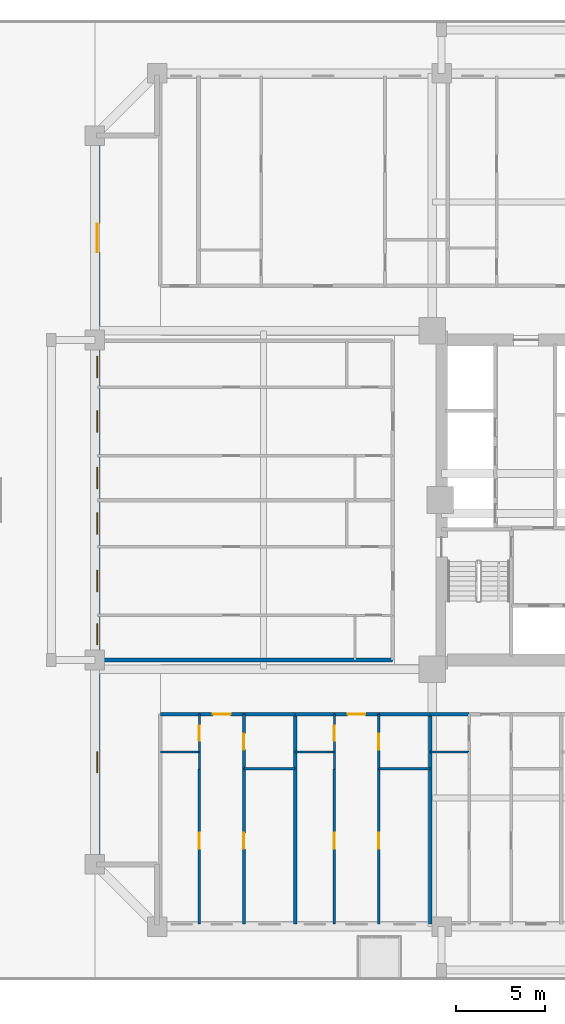
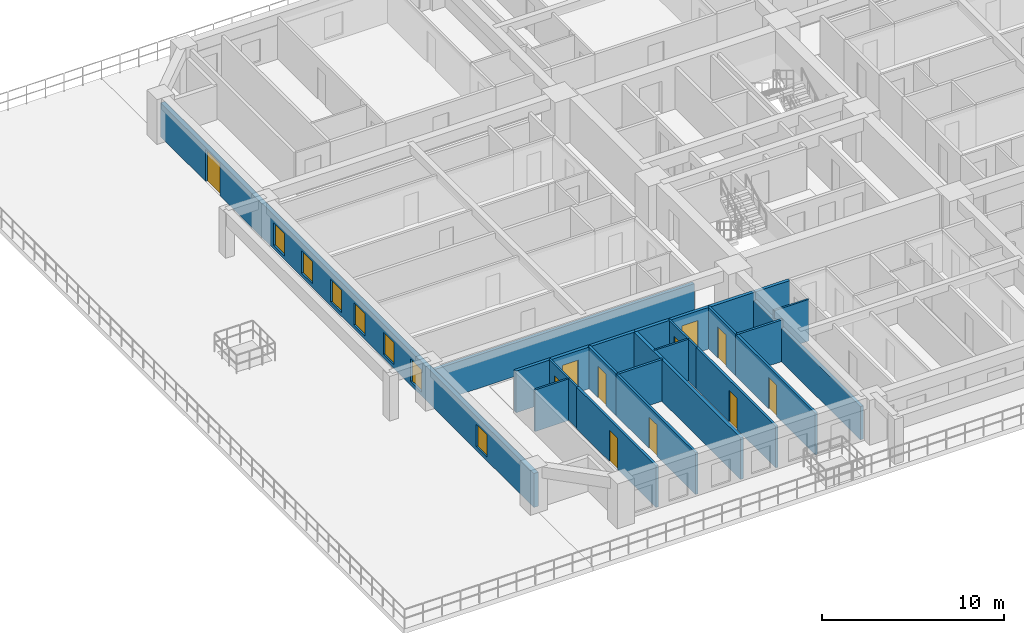
# One storey, part 2 of 19: 26 walls, 11 doors, 7 windows, 18 openings.
"""IFC4 building model written with IfcOpenShell, lengths in metres."""

from ifc_helpers import new_model, si_unit, direction, frame, frame_2d, origin, place, context, subcontext, project, spatial, rectangle, extrude, source, transform, mapped, material, layer, layer_set, type_object, element, fill, save


model = new_model("IFC4")

# Units and contexts
model_context = context("Model", 3, precision=1e-05, world=origin(), true_north=direction((0.0, 1.0)))
body_context = subcontext(model_context, "Body", "Model", "MODEL_VIEW")
ifc_project = project(units=[si_unit("LENGTHUNIT", "METRE"), si_unit("AREAUNIT", "SQUARE_METRE"), si_unit("VOLUMEUNIT", "CUBIC_METRE"), si_unit("PLANEANGLEUNIT", "RADIAN"), si_unit("MASSUNIT", "GRAM", prefix="KILO")], contexts=[model_context])

# Site, building, storey
site_placement = place(None, origin())
site = spatial("IfcSite", under=ifc_project, at=site_placement, CompositionType="ELEMENT")
building_placement = place(site_placement, origin())
building = spatial("IfcBuilding", under=site, at=building_placement, Name="Saelheon Loggia Tower", CompositionType="ELEMENT")
storey_placement = place(building_placement, frame((0.0, 0.0, 19.39990234375)))
storey = spatial("IfcBuildingStorey", under=building, at=storey_placement, Name="L05", CompositionType="ELEMENT", Elevation=19.39990234375)

# Wall, openings, windows, door
ifc_material_1 = material(Name="Architectural Precast Concrete C40/50", Category="concrete")
ifc_layer_1 = layer(ifc_material_1, 0.280029296875)
ifc_layer_set_1 = layer_set([ifc_layer_1], Name="Architectural Precast Concrete C40/50")
wall_type_1 = type_object("IfcWallType", Name="Wall_Ext_Loggia_280", PredefinedType="SOLIDWALL", material=ifc_layer_set_1)
wall_1_placement = place(storey_placement, frame((12.139892578125, 6.5, 0.0), z_axis=(0.0, 0.0, 1.0), x_axis=(0.0, 1.0, 0.0)))
wall_1 = element("IfcWall", 1, at=wall_1_placement, inside=storey, type_object=wall_type_1, Name="L05 West Loggia Inner Wall", PredefinedType="SOLIDWALL", context=body_context, shape_type="SweptSolid", body=[
    extrude(rectangle(XDim=41.0, YDim=0.280029296875, at=frame_2d((20.5, 0.0))), origin(), (0.0, 0.0, 1.0), 2.280029296875),
])
opening_1_placement = place(wall_1_placement, frame((5.14990234375, 0.0, 0.25)))
opening_1 = element("IfcOpeningElement", 2, at=opening_1_placement, cuts=wall_1, Name="Opening WN-03", PredefinedType="OPENING", context=body_context, shape_type="SweptSolid", body=[
    extrude(rectangle(XDim=1.199951171875, YDim=1.5, at=frame_2d((0.60009765625, 0.75))), frame((0.0, 0.152099609375, 0.0), z_axis=(0.0, -1.0, 0.0), x_axis=(1.0, 0.0, 0.0)), (0.0, 0.0, 1.0), 0.303955078125),
])
opening_2_placement = place(wall_1_placement, frame((12.3515625, 0.0, 0.25)))
opening_2 = element("IfcOpeningElement", 3, at=opening_2_placement, cuts=wall_1, Name="Opening WN-03", PredefinedType="OPENING", context=body_context, shape_type="SweptSolid", body=[
    extrude(rectangle(XDim=1.199951171875, YDim=1.5, at=frame_2d((0.60009765625, 0.75))), frame((0.0, 0.152099609375, 0.0), z_axis=(0.0, -1.0, 0.0), x_axis=(1.0, 0.0, 0.0)), (0.0, 0.0, 1.0), 0.303955078125),
])
opening_3_placement = place(wall_1_placement, frame((15.343994140625, 0.0, 0.25)))
opening_3 = element("IfcOpeningElement", 4, at=opening_3_placement, cuts=wall_1, Name="Opening WN-03", PredefinedType="OPENING", context=body_context, shape_type="SweptSolid", body=[
    extrude(rectangle(XDim=1.199951171875, YDim=1.5, at=frame_2d((0.60009765625, 0.75))), frame((0.0, 0.152099609375, 0.0), z_axis=(0.0, -1.0, 0.0), x_axis=(1.0, 0.0, 0.0)), (0.0, 0.0, 1.0), 0.303955078125),
])
opening_4_placement = place(wall_1_placement, frame((18.574951171875, 0.0, 0.25)))
opening_4 = element("IfcOpeningElement", 5, at=opening_4_placement, cuts=wall_1, Name="Opening WN-03", PredefinedType="OPENING", context=body_context, shape_type="SweptSolid", body=[
    extrude(rectangle(XDim=1.199951171875, YDim=1.5, at=frame_2d((0.60009765625, 0.75))), frame((0.0, 0.152099609375, 0.0), z_axis=(0.0, -1.0, 0.0), x_axis=(1.0, 0.0, 0.0)), (0.0, 0.0, 1.0), 0.303955078125),
])
opening_5_placement = place(wall_1_placement, frame((21.131591796875, 0.0, 0.25)))
opening_5 = element("IfcOpeningElement", 6, at=opening_5_placement, cuts=wall_1, Name="Opening WN-03", PredefinedType="OPENING", context=body_context, shape_type="SweptSolid", body=[
    extrude(rectangle(XDim=1.199951171875, YDim=1.5, at=frame_2d((0.60009765625, 0.75))), frame((0.0, 0.152099609375, 0.0), z_axis=(0.0, -1.0, 0.0), x_axis=(1.0, 0.0, 0.0)), (0.0, 0.0, 1.0), 0.303955078125),
])
opening_6_placement = place(wall_1_placement, frame((24.319091796875, 0.0, 0.25)))
opening_6 = element("IfcOpeningElement", 7, at=opening_6_placement, cuts=wall_1, Name="Opening WN-03", PredefinedType="OPENING", context=body_context, shape_type="SweptSolid", body=[
    extrude(rectangle(XDim=1.199951171875, YDim=1.5, at=frame_2d((0.60009765625, 0.75))), frame((0.0, 0.152099609375, 0.0), z_axis=(0.0, -1.0, 0.0), x_axis=(1.0, 0.0, 0.0)), (0.0, 0.0, 1.0), 0.303955078125),
])
opening_7_placement = place(wall_1_placement, frame((27.3798828125, 0.0, 0.25)))
opening_7 = element("IfcOpeningElement", 8, at=opening_7_placement, cuts=wall_1, Name="Opening WN-03", PredefinedType="OPENING", context=body_context, shape_type="SweptSolid", body=[
    extrude(rectangle(XDim=1.199951171875, YDim=1.5, at=frame_2d((0.60009765625, 0.75))), frame((0.0, 0.152099609375, 0.0), z_axis=(0.0, -1.0, 0.0), x_axis=(1.0, 0.0, 0.0)), (0.0, 0.0, 1.0), 0.303955078125),
])
opening_8_placement = place(wall_1_placement, frame((34.449951171875, 0.0, 0.0)))
opening_8 = element("IfcOpeningElement", 9, at=opening_8_placement, cuts=wall_1, Name="Opening DLG-1", PredefinedType="OPENING", context=body_context, shape_type="SweptSolid", body=[
    extrude(rectangle(XDim=1.60009765625, YDim=2.14990234375, at=frame_2d((0.800048828125, 1.074951171875))), frame((0.0, 0.152099609375, 0.0), z_axis=(0.0, -1.0, 0.0), x_axis=(1.0, 0.0, 0.0)), (0.0, 0.0, 1.0), 0.303955078125),
])
ifc_material_2 = material(Name="Thermal-Break Aluminium and Triple Low-E Glass", Category="aluminium")
window_type = type_object("IfcWindowType", Name="Win_Bedroom_1200x1500", PartitioningType="SINGLE_PANEL", PredefinedType="WINDOW", material=ifc_material_2)
shared_shape_1 = source(origin(), body_context, "Body", "SweptSolid", [
    extrude(rectangle(XDim=1.199951171875, YDim=1.5, at=frame_2d((0.60009765625, 0.75))), frame((0.0, 0.030029296875, 0.0), z_axis=(0.0, -1.0, 0.0), x_axis=(1.0, 0.0, 0.0)), (0.0, 0.0, 1.0), 0.06005859375),
])
window_1_placement = place(opening_1_placement, origin())
window_1 = element("IfcWindow", 10, at=window_1_placement, inside=storey, type_object=window_type, Name="L05 W Dwelling Window 1", OverallHeight=1.5, OverallWidth=1.199951171875, PartitioningType="SINGLE_PANEL", PredefinedType="WINDOW", context=body_context, shape_type="MappedRepresentation", body=[
    mapped(shared_shape_1, transform((0.0, 0.0, 0.0), scale=1.0)),
])
fill(opening_1, window_1)
window_2_placement = place(opening_2_placement, origin())
window_2 = element("IfcWindow", 11, at=window_2_placement, inside=storey, type_object=window_type, Name="L05 W Dwelling Window 2", OverallHeight=1.5, OverallWidth=1.199951171875, PartitioningType="SINGLE_PANEL", PredefinedType="WINDOW", context=body_context, shape_type="MappedRepresentation", body=[
    mapped(shared_shape_1, transform((0.0, 0.0, 0.0), scale=1.0)),
])
fill(opening_2, window_2)
window_3_placement = place(opening_3_placement, origin())
window_3 = element("IfcWindow", 12, at=window_3_placement, inside=storey, type_object=window_type, Name="L05 W Dwelling Window 3", OverallHeight=1.5, OverallWidth=1.199951171875, PartitioningType="SINGLE_PANEL", PredefinedType="WINDOW", context=body_context, shape_type="MappedRepresentation", body=[
    mapped(shared_shape_1, transform((0.0, 0.0, 0.0), scale=1.0)),
])
fill(opening_3, window_3)
window_4_placement = place(opening_4_placement, origin())
window_4 = element("IfcWindow", 13, at=window_4_placement, inside=storey, type_object=window_type, Name="L05 W Dwelling Window 4", OverallHeight=1.5, OverallWidth=1.199951171875, PartitioningType="SINGLE_PANEL", PredefinedType="WINDOW", context=body_context, shape_type="MappedRepresentation", body=[
    mapped(shared_shape_1, transform((0.0, 0.0, 0.0), scale=1.0)),
])
fill(opening_4, window_4)
window_5_placement = place(opening_5_placement, origin())
window_5 = element("IfcWindow", 14, at=window_5_placement, inside=storey, type_object=window_type, Name="L05 W Dwelling Window 5", OverallHeight=1.5, OverallWidth=1.199951171875, PartitioningType="SINGLE_PANEL", PredefinedType="WINDOW", context=body_context, shape_type="MappedRepresentation", body=[
    mapped(shared_shape_1, transform((0.0, 0.0, 0.0), scale=1.0)),
])
fill(opening_5, window_5)
window_6_placement = place(opening_6_placement, origin())
window_6 = element("IfcWindow", 15, at=window_6_placement, inside=storey, type_object=window_type, Name="L05 W Dwelling Window 6", OverallHeight=1.5, OverallWidth=1.199951171875, PartitioningType="SINGLE_PANEL", PredefinedType="WINDOW", context=body_context, shape_type="MappedRepresentation", body=[
    mapped(shared_shape_1, transform((0.0, 0.0, 0.0), scale=1.0)),
])
fill(opening_6, window_6)
window_7_placement = place(opening_7_placement, origin())
window_7 = element("IfcWindow", 16, at=window_7_placement, inside=storey, type_object=window_type, Name="L05 W Dwelling Window 7", OverallHeight=1.5, OverallWidth=1.199951171875, PartitioningType="SINGLE_PANEL", PredefinedType="WINDOW", context=body_context, shape_type="MappedRepresentation", body=[
    mapped(shared_shape_1, transform((0.0, 0.0, 0.0), scale=1.0)),
])
fill(opening_7, window_7)
ifc_material_3 = material(Name="Thermal-Break Aluminium Sliding Glazed Door", Category="aluminium")
door_type_1 = type_object("IfcDoorType", Name="Door_LoggiaSlide_1600", OperationType="SLIDING_TO_LEFT", PredefinedType="DOOR", material=ifc_material_3)
shared_shape_2 = source(origin(), body_context, "Body", "SweptSolid", [
    extrude(rectangle(XDim=1.60009765625, YDim=2.14990234375, at=frame_2d((0.800048828125, 1.074951171875))), frame((0.0, 0.02490234375, 0.0), z_axis=(0.0, -1.0, 0.0), x_axis=(1.0, 0.0, 0.0)), (0.0, 0.0, 1.0), 0.050048828125),
])
door_1_placement = place(opening_8_placement, origin())
door_1 = element("IfcDoor", 17, at=door_1_placement, inside=storey, type_object=door_type_1, Name="L05 W Loggia Access Door", OperationType="SLIDING_TO_LEFT", OverallHeight=2.14990234375, OverallWidth=1.60009765625, PredefinedType="DOOR", context=body_context, shape_type="MappedRepresentation", body=[
    mapped(shared_shape_2, transform((0.0, 0.0, 0.0), scale=1.0)),
])
fill(opening_8, door_1)

# Wall
ifc_material_4 = material(Name="Lightweight Autoclaved Aerated Concrete Block and Acoustic Gypsum", Category="concrete")
ifc_layer_2 = layer(ifc_material_4, 0.14990234375)
ifc_layer_set_2 = layer_set([ifc_layer_2], Name="Lightweight Autoclaved Aerated Concrete Block and Acoustic Gypsum")
wall_type_2 = type_object("IfcWallType", Name="Wall_Part_150", PredefinedType="PARTITIONING", material=ifc_layer_set_2)
wall_2_placement = place(storey_placement, frame((20.385009765625, 11.8798828125, 0.0), z_axis=(0.0, 0.0, 1.0), x_axis=(1.0, 0.0, 0.0)))
element("IfcWall", 18, at=wall_2_placement, inside=storey, type_object=wall_type_2, Name="L05 S Partition V07", PredefinedType="PARTITIONING", context=body_context, shape_type="SweptSolid", body=[
    extrude(rectangle(XDim=2.8837890625, YDim=0.14990234375, at=frame_2d((1.44189453125, 0.0))), origin(), (0.0, 0.0, 1.0), 2.7900390625),
])

# Wall, opening, door
wall_3_placement = place(storey_placement, frame((17.8798828125, 11.8798828125, 0.0), z_axis=(0.0, 0.0, 1.0), x_axis=(0.0, -1.0, 0.0)))
wall_3 = element("IfcWall", 19, at=wall_3_placement, inside=storey, type_object=wall_type_2, Name="L05 S Partition U10", PredefinedType="PARTITIONING", context=body_context, shape_type="SweptSolid", body=[
    extrude(rectangle(XDim=8.72998046875, YDim=0.14990234375, at=frame_2d((4.364990234375, 0.0))), origin(), (0.0, 0.0, 1.0), 2.7900390625),
])
opening_9_placement = place(wall_3_placement, frame((3.608642578125, 0.0, 0.0)))
opening_9 = element("IfcOpeningElement", 20, at=opening_9_placement, cuts=wall_3, Name="Opening D-IN2", PredefinedType="OPENING", context=body_context, shape_type="SweptSolid", body=[
    extrude(rectangle(XDim=0.89990234375, YDim=2.10009765625, at=frame_2d((0.449951171875, 1.050048828125))), frame((0.0, 0.0869140625, 0.0), z_axis=(0.0, -1.0, 0.0), x_axis=(1.0, 0.0, 0.0)), (0.0, 0.0, 1.0), 0.173828125),
])
ifc_material_5 = material(Name="Engineered Oak Flush Door", Category="timber")
door_type_2 = type_object("IfcDoorType", Name="Door_Int_900", OperationType="NOTDEFINED", PredefinedType="DOOR", material=ifc_material_5)
shared_shape_3 = source(origin(), body_context, "Body", "SweptSolid", [
    extrude(rectangle(XDim=0.89990234375, YDim=2.10009765625, at=frame_2d((0.449951171875, 1.050048828125))), frame((0.0, 0.02490234375, 0.0), z_axis=(0.0, -1.0, 0.0), x_axis=(1.0, 0.0, 0.0)), (0.0, 0.0, 1.0), 0.050048828125),
])
door_2_placement = place(opening_9_placement, origin())
door_2 = element("IfcDoor", 21, at=door_2_placement, inside=storey, type_object=door_type_2, Name="Unit U01 Kitchen Door", OperationType="SINGLE_SWING_LEFT", OverallHeight=2.10009765625, OverallWidth=0.89990234375, PredefinedType="DOOR", context=body_context, shape_type="MappedRepresentation", body=[
    mapped(shared_shape_3, transform((0.0, 0.0, 0.0), scale=1.0)),
])
fill(opening_9, door_2)

wall_4_placement = place(storey_placement, frame((20.385009765625, 14.949951171875, 0.0), z_axis=(0.0, 0.0, 1.0), x_axis=(0.0, -1.0, 0.0)))
wall_4 = element("IfcWall", 22, at=wall_4_placement, inside=storey, type_object=wall_type_2, Name="L05 S Partition U11", PredefinedType="PARTITIONING", context=body_context, shape_type="SweptSolid", body=[
    extrude(rectangle(XDim=3.070068359375, YDim=0.14990234375, at=frame_2d((1.53515625, 0.0))), origin(), (0.0, 0.0, 1.0), 2.7900390625),
])
opening_10_placement = place(wall_4_placement, frame((1.0849609375, 0.0, 0.0)))
opening_10 = element("IfcOpeningElement", 23, at=opening_10_placement, cuts=wall_4, Name="Opening D-IN2", PredefinedType="OPENING", context=body_context, shape_type="SweptSolid", body=[
    extrude(rectangle(XDim=0.89990234375, YDim=2.10009765625, at=frame_2d((0.449951171875, 1.050048828125))), frame((0.0, 0.0869140625, 0.0), z_axis=(0.0, -1.0, 0.0), x_axis=(1.0, 0.0, 0.0)), (0.0, 0.0, 1.0), 0.173828125),
])
door_3_placement = place(opening_10_placement, origin())
door_3 = element("IfcDoor", 24, at=door_3_placement, inside=storey, type_object=door_type_2, Name="Unit U01 Dressing Closet Door", OperationType="SINGLE_SWING_RIGHT", OverallHeight=2.10009765625, OverallWidth=0.89990234375, PredefinedType="DOOR", context=body_context, shape_type="MappedRepresentation", body=[
    mapped(shared_shape_3, transform((0.0, 0.0, 0.0), scale=1.0)),
])
fill(opening_10, door_3)

wall_5_placement = place(storey_placement, frame((20.385009765625, 11.8798828125, 0.0), z_axis=(0.0, 0.0, 1.0), x_axis=(0.0, -1.0, 0.0)))
wall_5 = element("IfcWall", 25, at=wall_5_placement, inside=storey, type_object=wall_type_2, Name="L05 S Partition U12", PredefinedType="PARTITIONING", context=body_context, shape_type="SweptSolid", body=[
    extrude(rectangle(XDim=8.72998046875, YDim=0.14990234375, at=frame_2d((4.364990234375, 0.0))), origin(), (0.0, 0.0, 1.0), 2.7900390625),
])
opening_11_placement = place(wall_5_placement, frame((3.608642578125, 0.0, 0.0)))
opening_11 = element("IfcOpeningElement", 26, at=opening_11_placement, cuts=wall_5, Name="Opening D-IN2", PredefinedType="OPENING", context=body_context, shape_type="SweptSolid", body=[
    extrude(rectangle(XDim=0.89990234375, YDim=2.10009765625, at=frame_2d((0.449951171875, 1.050048828125))), frame((0.0, 0.0869140625, 0.0), z_axis=(0.0, -1.0, 0.0), x_axis=(1.0, 0.0, 0.0)), (0.0, 0.0, 1.0), 0.173828125),
])
door_4_placement = place(opening_11_placement, origin())
door_4 = element("IfcDoor", 27, at=door_4_placement, inside=storey, type_object=door_type_2, Name="Unit U01 Bedroom 1 Door", OperationType="SINGLE_SWING_LEFT", OverallHeight=2.10009765625, OverallWidth=0.89990234375, PredefinedType="DOOR", context=body_context, shape_type="MappedRepresentation", body=[
    mapped(shared_shape_3, transform((0.0, 0.0, 0.0), scale=1.0)),
])
fill(opening_11, door_4)

# Wall
wall_6_placement = place(storey_placement, frame((27.973876953125, 11.8798828125, 0.0), z_axis=(0.0, 0.0, 1.0), x_axis=(1.0, 0.0, 0.0)))
element("IfcWall", 28, at=wall_6_placement, inside=storey, type_object=wall_type_2, Name="L05 S Partition V18", PredefinedType="PARTITIONING", context=body_context, shape_type="SweptSolid", body=[
    extrude(rectangle(XDim=2.8837890625, YDim=0.14990234375, at=frame_2d((1.44189453125, 0.0))), origin(), (0.0, 0.0, 1.0), 2.7900390625),
])

# Wall, opening, door
wall_7_placement = place(storey_placement, frame((25.46875, 11.8798828125, 0.0), z_axis=(0.0, 0.0, 1.0), x_axis=(0.0, -1.0, 0.0)))
wall_7 = element("IfcWall", 29, at=wall_7_placement, inside=storey, type_object=wall_type_2, Name="L05 S Partition U21", PredefinedType="PARTITIONING", context=body_context, shape_type="SweptSolid", body=[
    extrude(rectangle(XDim=8.72998046875, YDim=0.14990234375, at=frame_2d((4.364990234375, 0.0))), origin(), (0.0, 0.0, 1.0), 2.7900390625),
])
opening_12_placement = place(wall_7_placement, frame((3.608642578125, 0.0, 0.0)))
opening_12 = element("IfcOpeningElement", 30, at=opening_12_placement, cuts=wall_7, Name="Opening D-IN2", PredefinedType="OPENING", context=body_context, shape_type="SweptSolid", body=[
    extrude(rectangle(XDim=0.89990234375, YDim=2.10009765625, at=frame_2d((0.449951171875, 1.050048828125))), frame((0.0, 0.0869140625, 0.0), z_axis=(0.0, -1.0, 0.0), x_axis=(1.0, 0.0, 0.0)), (0.0, 0.0, 1.0), 0.173828125),
])
door_5_placement = place(opening_12_placement, origin())
door_5 = element("IfcDoor", 31, at=door_5_placement, inside=storey, type_object=door_type_2, Name="Unit U02 Kitchen Door", OperationType="SINGLE_SWING_RIGHT", OverallHeight=2.10009765625, OverallWidth=0.89990234375, PredefinedType="DOOR", context=body_context, shape_type="MappedRepresentation", body=[
    mapped(shared_shape_3, transform((0.0, 0.0, 0.0), scale=1.0)),
])
fill(opening_12, door_5)

wall_8_placement = place(storey_placement, frame((27.973876953125, 14.949951171875, 0.0), z_axis=(0.0, 0.0, 1.0), x_axis=(0.0, -1.0, 0.0)))
wall_8 = element("IfcWall", 32, at=wall_8_placement, inside=storey, type_object=wall_type_2, Name="L05 S Partition U22", PredefinedType="PARTITIONING", context=body_context, shape_type="SweptSolid", body=[
    extrude(rectangle(XDim=3.070068359375, YDim=0.14990234375, at=frame_2d((1.53515625, 0.0))), origin(), (0.0, 0.0, 1.0), 2.7900390625),
])
opening_13_placement = place(wall_8_placement, frame((1.0849609375, 0.0, 0.0)))
opening_13 = element("IfcOpeningElement", 33, at=opening_13_placement, cuts=wall_8, Name="Opening D-IN2", PredefinedType="OPENING", context=body_context, shape_type="SweptSolid", body=[
    extrude(rectangle(XDim=0.89990234375, YDim=2.10009765625, at=frame_2d((0.449951171875, 1.050048828125))), frame((0.0, 0.0869140625, 0.0), z_axis=(0.0, -1.0, 0.0), x_axis=(1.0, 0.0, 0.0)), (0.0, 0.0, 1.0), 0.173828125),
])
door_6_placement = place(opening_13_placement, origin())
door_6 = element("IfcDoor", 34, at=door_6_placement, inside=storey, type_object=door_type_2, Name="Unit U02 Dressing Closet Door", OperationType="SINGLE_SWING_LEFT", OverallHeight=2.10009765625, OverallWidth=0.89990234375, PredefinedType="DOOR", context=body_context, shape_type="MappedRepresentation", body=[
    mapped(shared_shape_3, transform((0.0, 0.0, 0.0), scale=1.0)),
])
fill(opening_13, door_6)

wall_9_placement = place(storey_placement, frame((27.973876953125, 11.8798828125, 0.0), z_axis=(0.0, 0.0, 1.0), x_axis=(0.0, -1.0, 0.0)))
wall_9 = element("IfcWall", 35, at=wall_9_placement, inside=storey, type_object=wall_type_2, Name="L05 S Partition U23", PredefinedType="PARTITIONING", context=body_context, shape_type="SweptSolid", body=[
    extrude(rectangle(XDim=8.72998046875, YDim=0.14990234375, at=frame_2d((4.364990234375, 0.0))), origin(), (0.0, 0.0, 1.0), 2.7900390625),
])
opening_14_placement = place(wall_9_placement, frame((3.608642578125, 0.0, 0.0)))
opening_14 = element("IfcOpeningElement", 36, at=opening_14_placement, cuts=wall_9, Name="Opening D-IN2", PredefinedType="OPENING", context=body_context, shape_type="SweptSolid", body=[
    extrude(rectangle(XDim=0.89990234375, YDim=2.10009765625, at=frame_2d((0.449951171875, 1.050048828125))), frame((0.0, 0.0869140625, 0.0), z_axis=(0.0, -1.0, 0.0), x_axis=(1.0, 0.0, 0.0)), (0.0, 0.0, 1.0), 0.173828125),
])
door_7_placement = place(opening_14_placement, origin())
door_7 = element("IfcDoor", 37, at=door_7_placement, inside=storey, type_object=door_type_2, Name="Unit U02 Bedroom 1 Door", OperationType="SINGLE_SWING_RIGHT", OverallHeight=2.10009765625, OverallWidth=0.89990234375, PredefinedType="DOOR", context=body_context, shape_type="MappedRepresentation", body=[
    mapped(shared_shape_3, transform((0.0, 0.0, 0.0), scale=1.0)),
])
fill(opening_14, door_7)

# Wall
ifc_material_6 = material(Name="Double Acoustic Stud and Fireboard Partition", Category="gypsum")
ifc_layer_3 = layer(ifc_material_6, 0.199951171875)
ifc_layer_set_3 = layer_set([ifc_layer_3], Name="Double Acoustic Stud and Fireboard Partition")
wall_type_3 = type_object("IfcWallType", Name="Wall_Party_200", PredefinedType="PARTITIONING", material=ifc_layer_set_3)
wall_10_placement = place(storey_placement, frame((15.679931640625, 14.949951171875, 0.0), z_axis=(0.0, 0.0, 1.0), x_axis=(1.0, 0.0, 0.0)))
element("IfcWall", 38, at=wall_10_placement, inside=storey, type_object=wall_type_3, Name="L05 S Partition V03", PredefinedType="PARTITIONING", context=body_context, shape_type="SweptSolid", body=[
    extrude(rectangle(XDim=2.199951171875, YDim=0.199951171875, at=frame_2d((1.10009765625, 0.0))), origin(), (0.0, 0.0, 1.0), 2.7900390625),
])

# Wall, opening, door
wall_11_placement = place(storey_placement, frame((17.8798828125, 14.949951171875, 0.0), z_axis=(0.0, 0.0, 1.0), x_axis=(1.0, 0.0, 0.0)))
wall_11 = element("IfcWall", 39, at=wall_11_placement, inside=storey, type_object=wall_type_3, Name="L05 S Partition V04", PredefinedType="PARTITIONING", context=body_context, shape_type="SweptSolid", body=[
    extrude(rectangle(XDim=2.505126953125, YDim=0.199951171875, at=frame_2d((1.25244140625, 0.0))), origin(), (0.0, 0.0, 1.0), 2.7900390625),
])
opening_15_placement = place(wall_11_placement, frame((0.752685546875, 0.0, 0.0)))
opening_15 = element("IfcOpeningElement", 40, at=opening_15_placement, cuts=wall_11, Name="Opening D-FD1", PredefinedType="OPENING", context=body_context, shape_type="SweptSolid", body=[
    extrude(rectangle(XDim=1.0, YDim=2.14990234375, at=frame_2d((0.5, 1.074951171875))), frame((0.0, 0.112060546875, 0.0), z_axis=(0.0, -1.0, 0.0), x_axis=(1.0, 0.0, 0.0)), (0.0, 0.0, 1.0), 0.223876953125),
])
ifc_material_7 = material(Name="Fire-Rated Engineered Timber Entrance Door", Category="wood")
door_type_3 = type_object("IfcDoorType", Name="Door_Flat_FD30S", OperationType="NOTDEFINED", PredefinedType="DOOR", material=ifc_material_7)
shared_shape_4 = source(origin(), body_context, "Body", "SweptSolid", [
    extrude(rectangle(XDim=1.0, YDim=2.14990234375, at=frame_2d((0.5, 1.074951171875))), frame((0.0, 0.02490234375, 0.0), z_axis=(0.0, -1.0, 0.0), x_axis=(1.0, 0.0, 0.0)), (0.0, 0.0, 1.0), 0.050048828125),
])
door_8_placement = place(opening_15_placement, origin())
door_8 = element("IfcDoor", 41, at=door_8_placement, inside=storey, type_object=door_type_3, Name="Unit U01 Entrance Door", OperationType="SINGLE_SWING_LEFT", OverallHeight=2.14990234375, OverallWidth=1.0, PredefinedType="DOOR", context=body_context, shape_type="MappedRepresentation", body=[
    mapped(shared_shape_4, transform((0.0, 0.0, 0.0), scale=1.0)),
])
fill(opening_15, door_8)

# Walls
wall_12_placement = place(storey_placement, frame((20.385009765625, 14.949951171875, 0.0), z_axis=(0.0, 0.0, 1.0), x_axis=(1.0, 0.0, 0.0)))
element("IfcWall", 42, at=wall_12_placement, inside=storey, type_object=wall_type_3, Name="L05 S Partition V05", PredefinedType="PARTITIONING", context=body_context, shape_type="SweptSolid", body=[
    extrude(rectangle(XDim=2.8837890625, YDim=0.199951171875, at=frame_2d((1.44189453125, 0.0))), origin(), (0.0, 0.0, 1.0), 2.7900390625),
])
wall_13_placement = place(storey_placement, frame((23.268798828125, 14.949951171875, 0.0), z_axis=(0.0, 0.0, 1.0), x_axis=(0.0, -1.0, 0.0)))
element("IfcWall", 43, at=wall_13_placement, inside=storey, type_object=wall_type_3, Name="L05 S Partition U13", PredefinedType="PARTITIONING", context=body_context, shape_type="SweptSolid", body=[
    extrude(rectangle(XDim=11.800048828125, YDim=0.199951171875, at=frame_2d((5.89990234375, 0.0))), origin(), (0.0, 0.0, 1.0), 2.7900390625),
])
wall_14_placement = place(storey_placement, frame((23.268798828125, 14.949951171875, 0.0), z_axis=(0.0, 0.0, 1.0), x_axis=(1.0, 0.0, 0.0)))
element("IfcWall", 44, at=wall_14_placement, inside=storey, type_object=wall_type_3, Name="L05 S Partition V14", PredefinedType="PARTITIONING", context=body_context, shape_type="SweptSolid", body=[
    extrude(rectangle(XDim=2.199951171875, YDim=0.199951171875, at=frame_2d((1.10009765625, 0.0))), origin(), (0.0, 0.0, 1.0), 2.7900390625),
])

# Wall, opening, door
wall_15_placement = place(storey_placement, frame((25.46875, 14.949951171875, 0.0), z_axis=(0.0, 0.0, 1.0), x_axis=(1.0, 0.0, 0.0)))
wall_15 = element("IfcWall", 45, at=wall_15_placement, inside=storey, type_object=wall_type_3, Name="L05 S Partition V15", PredefinedType="PARTITIONING", context=body_context, shape_type="SweptSolid", body=[
    extrude(rectangle(XDim=2.505126953125, YDim=0.199951171875, at=frame_2d((1.25244140625, 0.0))), origin(), (0.0, 0.0, 1.0), 2.7900390625),
])
opening_16_placement = place(wall_15_placement, frame((0.75244140625, 0.0, 0.0)))
opening_16 = element("IfcOpeningElement", 46, at=opening_16_placement, cuts=wall_15, Name="Opening D-FD1", PredefinedType="OPENING", context=body_context, shape_type="SweptSolid", body=[
    extrude(rectangle(XDim=1.0, YDim=2.14990234375, at=frame_2d((0.5, 1.074951171875))), frame((0.0, 0.112060546875, 0.0), z_axis=(0.0, -1.0, 0.0), x_axis=(1.0, 0.0, 0.0)), (0.0, 0.0, 1.0), 0.223876953125),
])
door_9_placement = place(opening_16_placement, origin())
door_9 = element("IfcDoor", 47, at=door_9_placement, inside=storey, type_object=door_type_3, Name="Unit U02 Entrance Door", OperationType="SINGLE_SWING_RIGHT", OverallHeight=2.14990234375, OverallWidth=1.0, PredefinedType="DOOR", context=body_context, shape_type="MappedRepresentation", body=[
    mapped(shared_shape_4, transform((0.0, 0.0, 0.0), scale=1.0)),
])
fill(opening_16, door_9)

# Walls
wall_16_placement = place(storey_placement, frame((27.973876953125, 14.949951171875, 0.0), z_axis=(0.0, 0.0, 1.0), x_axis=(1.0, 0.0, 0.0)))
element("IfcWall", 48, at=wall_16_placement, inside=storey, type_object=wall_type_3, Name="L05 S Partition V16", PredefinedType="PARTITIONING", context=body_context, shape_type="SweptSolid", body=[
    extrude(rectangle(XDim=2.8837890625, YDim=0.199951171875, at=frame_2d((1.44189453125, 0.0))), origin(), (0.0, 0.0, 1.0), 2.7900390625),
])
wall_17_placement = place(storey_placement, frame((30.857666015625, 14.949951171875, 0.0), z_axis=(0.0, 0.0, 1.0), x_axis=(0.0, -1.0, 0.0)))
element("IfcWall", 49, at=wall_17_placement, inside=storey, type_object=wall_type_3, Name="L05 S Partition U24", PredefinedType="PARTITIONING", context=body_context, shape_type="SweptSolid", body=[
    extrude(rectangle(XDim=11.800048828125, YDim=0.199951171875, at=frame_2d((5.89990234375, 0.0))), origin(), (0.0, 0.0, 1.0), 2.239990234375),
])
wall_18_placement = place(storey_placement, frame((30.857666015625, 14.949951171875, 0.0), z_axis=(0.0, 0.0, 1.0), x_axis=(1.0, 0.0, 0.0)))
element("IfcWall", 50, at=wall_18_placement, inside=storey, type_object=wall_type_3, Name="L05 S Partition V25", PredefinedType="PARTITIONING", context=body_context, shape_type="SweptSolid", body=[
    extrude(rectangle(XDim=2.199951171875, YDim=0.199951171875, at=frame_2d((1.10009765625, 0.0))), origin(), (0.0, 0.0, 1.0), 2.7900390625),
])
wall_19_placement = place(storey_placement, frame((28.75, 18.0, 0.0), z_axis=(0.0, 0.0, 1.0), x_axis=(-1.0, 0.0, 0.0)))
element("IfcWall", 51, at=wall_19_placement, inside=storey, type_object=wall_type_3, Name="L05 W Partition U01", PredefinedType="PARTITIONING", context=body_context, shape_type="SweptSolid", body=[
    extrude(rectangle(XDim=16.60009765625, YDim=0.199951171875, at=frame_2d((8.300048828125, 0.0))), origin(), (0.0, 0.0, 1.0), 2.239990234375),
])
ifc_material_8 = material(Name="Moisture-Resistant Cement Board Partition", Category="gypsum")
ifc_layer_4 = layer(ifc_material_8, 0.1201171875)
ifc_layer_set_4 = layer_set([ifc_layer_4], Name="Moisture-Resistant Cement Board Partition")
wall_type_4 = type_object("IfcWallType", Name="Wall_WetPart_120", PredefinedType="PARTITIONING", material=ifc_layer_set_4)
wall_20_placement = place(storey_placement, frame((15.679931640625, 12.830078125, 0.0), z_axis=(0.0, 0.0, 1.0), x_axis=(1.0, 0.0, 0.0)))
element("IfcWall", 52, at=wall_20_placement, inside=storey, type_object=wall_type_4, Name="L05 S Partition V06", PredefinedType="PARTITIONING", context=body_context, shape_type="SweptSolid", body=[
    extrude(rectangle(XDim=2.199951171875, YDim=0.1201171875, at=frame_2d((1.10009765625, 0.0))), origin(), (0.0, 0.0, 1.0), 2.7900390625),
])

# Wall, opening, door
wall_21_placement = place(storey_placement, frame((17.8798828125, 14.949951171875, 0.0), z_axis=(0.0, 0.0, 1.0), x_axis=(0.0, -1.0, 0.0)))
wall_21 = element("IfcWall", 53, at=wall_21_placement, inside=storey, type_object=wall_type_4, Name="L05 S Partition U08", PredefinedType="PARTITIONING", context=body_context, shape_type="SweptSolid", body=[
    extrude(rectangle(XDim=2.119873046875, YDim=0.1201171875, at=frame_2d((1.06005859375, 0.0))), origin(), (0.0, 0.0, 1.0), 2.7900390625),
])
opening_17_placement = place(wall_21_placement, frame((0.635009765625, 0.0, 0.0)))
opening_17 = element("IfcOpeningElement", 54, at=opening_17_placement, cuts=wall_21, Name="Opening D-BT1", PredefinedType="OPENING", context=body_context, shape_type="SweptSolid", body=[
    extrude(rectangle(XDim=0.85009765625, YDim=2.050048828125, at=frame_2d((0.425048828125, 1.02490234375))), frame((0.0, 0.072021484375, 0.0), z_axis=(0.0, -1.0, 0.0), x_axis=(1.0, 0.0, 0.0)), (0.0, 0.0, 1.0), 0.14404296875),
])
ifc_material_9 = material(Name="Moisture-Resistant Laminate Timber Door", Category="wood")
door_type_4 = type_object("IfcDoorType", Name="Door_Bath_850", OperationType="NOTDEFINED", PredefinedType="DOOR", material=ifc_material_9)
shared_shape_5 = source(origin(), body_context, "Body", "SweptSolid", [
    extrude(rectangle(XDim=0.85009765625, YDim=2.050048828125, at=frame_2d((0.425048828125, 1.02490234375))), frame((0.0, 0.02490234375, 0.0), z_axis=(0.0, -1.0, 0.0), x_axis=(1.0, 0.0, 0.0)), (0.0, 0.0, 1.0), 0.050048828125),
])
door_10_placement = place(opening_17_placement, origin())
door_10 = element("IfcDoor", 55, at=door_10_placement, inside=storey, type_object=door_type_4, Name="Unit U01 Bathroom Door", OperationType="SINGLE_SWING_RIGHT", OverallHeight=2.050048828125, OverallWidth=0.85009765625, PredefinedType="DOOR", context=body_context, shape_type="MappedRepresentation", body=[
    mapped(shared_shape_5, transform((0.0, 0.0, 0.0), scale=1.0)),
])
fill(opening_17, door_10)

# Walls
wall_22_placement = place(storey_placement, frame((17.8798828125, 12.830078125, 0.0), z_axis=(0.0, 0.0, 1.0), x_axis=(0.0, -1.0, 0.0)))
element("IfcWall", 56, at=wall_22_placement, inside=storey, type_object=wall_type_4, Name="L05 S Partition U09", PredefinedType="PARTITIONING", context=body_context, shape_type="SweptSolid", body=[
    extrude(rectangle(XDim=0.9501953125, YDim=0.1201171875, at=frame_2d((0.47509765625, 0.0))), origin(), (0.0, 0.0, 1.0), 2.7900390625),
])
wall_23_placement = place(storey_placement, frame((23.268798828125, 12.830078125, 0.0), z_axis=(0.0, 0.0, 1.0), x_axis=(1.0, 0.0, 0.0)))
element("IfcWall", 57, at=wall_23_placement, inside=storey, type_object=wall_type_4, Name="L05 S Partition V17", PredefinedType="PARTITIONING", context=body_context, shape_type="SweptSolid", body=[
    extrude(rectangle(XDim=2.199951171875, YDim=0.1201171875, at=frame_2d((1.10009765625, 0.0))), origin(), (0.0, 0.0, 1.0), 2.7900390625),
])

# Wall, opening, door
wall_24_placement = place(storey_placement, frame((25.46875, 14.949951171875, 0.0), z_axis=(0.0, 0.0, 1.0), x_axis=(0.0, -1.0, 0.0)))
wall_24 = element("IfcWall", 58, at=wall_24_placement, inside=storey, type_object=wall_type_4, Name="L05 S Partition U19", PredefinedType="PARTITIONING", context=body_context, shape_type="SweptSolid", body=[
    extrude(rectangle(XDim=2.119873046875, YDim=0.1201171875, at=frame_2d((1.06005859375, 0.0))), origin(), (0.0, 0.0, 1.0), 2.7900390625),
])
opening_18_placement = place(wall_24_placement, frame((0.635009765625, 0.0, 0.0)))
opening_18 = element("IfcOpeningElement", 59, at=opening_18_placement, cuts=wall_24, Name="Opening D-BT1", PredefinedType="OPENING", context=body_context, shape_type="SweptSolid", body=[
    extrude(rectangle(XDim=0.85009765625, YDim=2.050048828125, at=frame_2d((0.425048828125, 1.02490234375))), frame((0.0, 0.072021484375, 0.0), z_axis=(0.0, -1.0, 0.0), x_axis=(1.0, 0.0, 0.0)), (0.0, 0.0, 1.0), 0.14404296875),
])
door_11_placement = place(opening_18_placement, origin())
door_11 = element("IfcDoor", 60, at=door_11_placement, inside=storey, type_object=door_type_4, Name="Unit U02 Bathroom Door", OperationType="SINGLE_SWING_LEFT", OverallHeight=2.050048828125, OverallWidth=0.85009765625, PredefinedType="DOOR", context=body_context, shape_type="MappedRepresentation", body=[
    mapped(shared_shape_5, transform((0.0, 0.0, 0.0), scale=1.0)),
])
fill(opening_18, door_11)

# Walls
wall_25_placement = place(storey_placement, frame((25.46875, 12.830078125, 0.0), z_axis=(0.0, 0.0, 1.0), x_axis=(0.0, -1.0, 0.0)))
element("IfcWall", 61, at=wall_25_placement, inside=storey, type_object=wall_type_4, Name="L05 S Partition U20", PredefinedType="PARTITIONING", context=body_context, shape_type="SweptSolid", body=[
    extrude(rectangle(XDim=0.9501953125, YDim=0.1201171875, at=frame_2d((0.47509765625, 0.0))), origin(), (0.0, 0.0, 1.0), 2.7900390625),
])
wall_26_placement = place(storey_placement, frame((30.857666015625, 12.830078125, 0.0), z_axis=(0.0, 0.0, 1.0), x_axis=(1.0, 0.0, 0.0)))
element("IfcWall", 62, at=wall_26_placement, inside=storey, type_object=wall_type_4, Name="L05 S Partition V28", PredefinedType="PARTITIONING", context=body_context, shape_type="SweptSolid", body=[
    extrude(rectangle(XDim=2.199951171875, YDim=0.1201171875, at=frame_2d((1.10009765625, 0.0))), origin(), (0.0, 0.0, 1.0), 2.7900390625),
])

save(model, "model.ifc")
